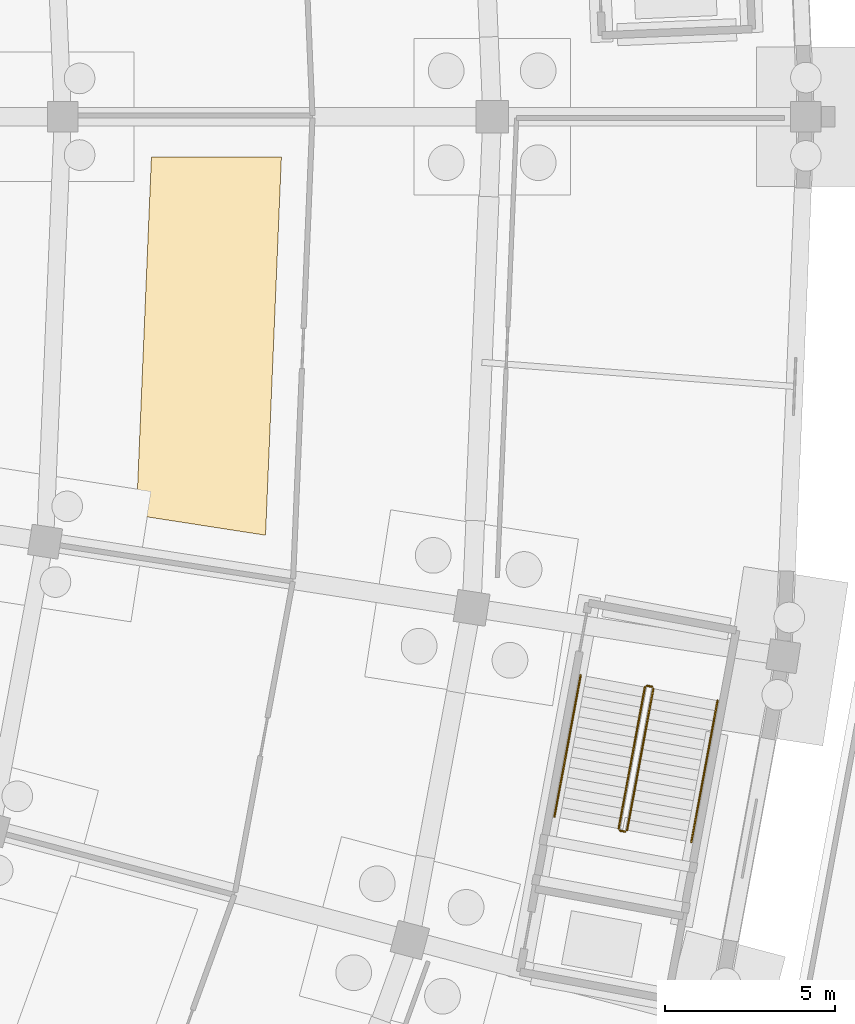
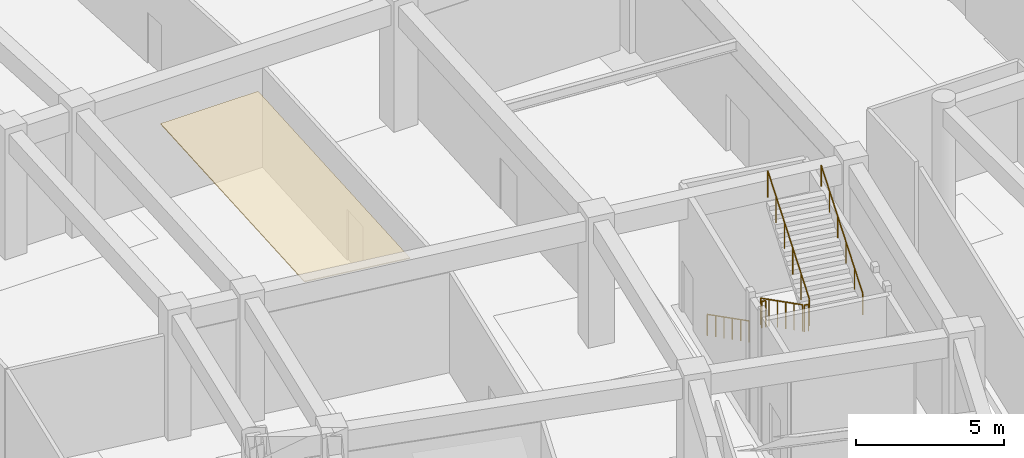
# One storey, part 78 of 88: 6 railings, 1 covering.
"""IFC4 building model written with IfcOpenShell, lengths in metres."""

import ifcopenshell
import ifcopenshell.guid

model = None  # the IFC model being written
_history = None  # IfcOwnerHistory: only IFC2X3 demands one
_inside = {}  # id of a spatial element -> (the spatial element, [elements in it])
_under = {}  # id of a project, library or spatial element -> (it, [spatial elements below it])
_declared = {}  # id of a project -> (the project, [libraries it declares])
_typed = {}  # id of a type object -> (the type object, [elements of that type])
_made_of = {}  # id of a material, layer set ... -> (it, [elements and type objects made of it])


def new_model(schema):
    """Start an empty IFC model of exactly this schema.

    Asked for "IFC4X3", IfcOpenShell would pick the latest addendum, in which some entities
    have other attributes; the version numbers below select the first issue.
    IFC2X3 requires an IfcOwnerHistory on every rooted entity: one is made here for all.
    """
    global model, _history
    if schema == "IFC4X3":
        model = ifcopenshell.file(schema_version=(4, 3, 0, 0))
    else:
        model = ifcopenshell.file(schema=schema)
    _inside.clear()
    _under.clear()
    _declared.clear()
    _typed.clear()
    _made_of.clear()
    _history = None
    if model.schema == "IFC2X3":
        org = make("IfcOrganization", Name="unknown")
        user = make(
            "IfcPersonAndOrganization",
            ThePerson=make("IfcPerson", FamilyName="unknown"),
            TheOrganization=org,
        )
        app = make(
            "IfcApplication",
            ApplicationDeveloper=org,
            Version="unknown",
            ApplicationFullName="unknown",
            ApplicationIdentifier="unknown",
        )
        _history = make(
            "IfcOwnerHistory",
            OwningUser=user,
            OwningApplication=app,
            ChangeAction="ADDED",
            CreationDate=0,
        )
    return model


def make(cls, **values):
    """One entity of the class cls with the attributes given. An attribute that is None is left unset."""
    return model.create_entity(
        cls, **{name: value for name, value in values.items() if value is not None}
    )


def rooted(cls, **values):
    """An entity with a GlobalId (a new one), such as an element, a storey or a relation."""
    return make(cls, GlobalId=ifcopenshell.guid.new(), OwnerHistory=_history, **values)


def si_unit(unit_type, name, prefix=None):
    """IfcSIUnit, for example si_unit("LENGTHUNIT", "METRE", prefix="MILLI")."""
    return make("IfcSIUnit", UnitType=unit_type, Prefix=prefix, Name=name)


def assignment(units):
    """IfcUnitAssignment: the units of a project."""
    return None if units is None else make("IfcUnitAssignment", Units=units)


def point(xyz):
    """IfcCartesianPoint."""
    return None if xyz is None else make("IfcCartesianPoint", Coordinates=xyz)


def direction(xyz):
    """IfcDirection."""
    return None if xyz is None else make("IfcDirection", DirectionRatios=xyz)


def frame(location, z_axis=None, x_axis=None):
    """IfcAxis2Placement3D, a coordinate frame: its origin and axes. An axis left out is left unset."""
    return make(
        "IfcAxis2Placement3D",
        Location=point(location),
        Axis=direction(z_axis),
        RefDirection=direction(x_axis),
    )


def frame_2d(location, x_axis=None):
    """IfcAxis2Placement2D, a coordinate frame in the plane: its origin and x axis."""
    return make(
        "IfcAxis2Placement2D", Location=point(location), RefDirection=direction(x_axis)
    )


def origin():
    """The frame at (0, 0, 0) with its axes left unset."""
    return frame((0.0, 0.0, 0.0))


def origin_2d():
    """The frame at (0, 0) in the plane with its x axis left unset."""
    return frame_2d((0.0, 0.0))


def place(relative_to, where):
    """IfcLocalPlacement: puts the frame where relative to a parent placement (None: the world)."""
    return make(
        "IfcLocalPlacement", PlacementRelTo=relative_to, RelativePlacement=where
    )


def context(
    kind, dimensions, precision=None, world=None, true_north=None, identifier=None
):
    """IfcGeometricRepresentationContext, for example the 3D "Model" context."""
    return make(
        "IfcGeometricRepresentationContext",
        ContextIdentifier=identifier,
        ContextType=kind,
        CoordinateSpaceDimension=dimensions,
        Precision=precision,
        WorldCoordinateSystem=world,
        TrueNorth=true_north,
    )


def subcontext(parent, identifier, kind, view, scale=None):
    """IfcGeometricRepresentationSubContext, for example "Body" below "Model"."""
    return make(
        "IfcGeometricRepresentationSubContext",
        ContextIdentifier=identifier,
        ContextType=kind,
        ParentContext=parent,
        TargetScale=scale,
        TargetView=view,
    )


def project(units=None, contexts=None):
    """IfcProject with its units and contexts."""
    return rooted(
        "IfcProject",
        Name="project",
        RepresentationContexts=contexts,
        UnitsInContext=assignment(units),
    )


def spatial(cls, under=None, at=None, **own):
    """A site, building, storey or space (cls), placed at a placement, below another one or the project."""
    s = rooted(cls, ObjectPlacement=at, **own)
    if under is not None:
        _under.setdefault(under.id(), (under, []))[1].append(s)
    return s


def polyline(points):
    """IfcPolyline through the points."""
    return make("IfcPolyline", Points=[point(p) for p in points])


def profile(cls, at=None, kind="AREA", **sizes):
    """A parametric profile (cls). Its sizes go by their IFC names, for example OverallWidth=200.0."""
    return make(cls, ProfileType=kind, Position=at, **sizes)


def circle(**sizes):
    """IfcCircleProfileDef."""
    return profile("IfcCircleProfileDef", **sizes)


def outline(outer, holes=None, kind="AREA"):
    """IfcArbitraryClosedProfileDef: a profile drawn as a closed curve; with holes, ...WithVoids."""
    if holes is None:
        return make("IfcArbitraryClosedProfileDef", ProfileType=kind, OuterCurve=outer)
    return make(
        "IfcArbitraryProfileDefWithVoids",
        ProfileType=kind,
        OuterCurve=outer,
        InnerCurves=holes,
    )


def extrude(swept, where, along, depth):
    """IfcExtrudedAreaSolid: the profile swept, set in the frame where, extruded along a direction by depth."""
    return make(
        "IfcExtrudedAreaSolid",
        SweptArea=swept,
        Position=where,
        ExtrudedDirection=direction(along),
        Depth=depth,
    )


def shape(context_of_items, identifier, shape_type, items):
    """IfcShapeRepresentation: the items that make up one representation, for example the "Body"."""
    return make(
        "IfcShapeRepresentation",
        ContextOfItems=context_of_items,
        RepresentationIdentifier=identifier,
        RepresentationType=shape_type,
        Items=items,
    )


def material(Name=None, Category=None):
    """IfcMaterial."""
    return make("IfcMaterial", Name=Name, Category=Category)


def layer(
    of_material, thickness, ventilated=None, Name=None, Category=None, Priority=None
):
    """IfcMaterialLayer: one layer of a wall or slab, of a material (None: an air gap)."""
    return make(
        "IfcMaterialLayer",
        Material=of_material,
        LayerThickness=thickness,
        IsVentilated=ventilated,
        Name=Name,
        Category=Category,
        Priority=Priority,
    )


def layer_set(layers, Name=None):
    """IfcMaterialLayerSet."""
    return make("IfcMaterialLayerSet", MaterialLayers=layers, LayerSetName=Name)


def made_of(thing, what):
    """Note that an element or type object is made of a material, layer set ...; save() writes the relation."""
    if what is not None:
        _made_of.setdefault(what.id(), (what, []))[1].append(thing)
    return thing


def type_object(cls, material=None, **own):
    """A type object (cls), such as IfcWallType, which elements share."""
    return made_of(rooted(cls, **own), material)


def element(
    cls,
    number,
    at=None,
    inside=None,
    cuts=None,
    type_object=None,
    material=None,
    context=None,
    identifier="Body",
    shape_type=None,
    held_by="IfcProductDefinitionShape",
    body=None,
    shapes=None,
    **own,
):
    """One element of the class cls, such as IfcWall. Its Tag is "e" and its number.

    at: its placement. inside: the storey or other place that contains it. cuts: it is an
    opening in that element (IfcRelVoidsElement). A single representation is given by context,
    identifier, shape_type and body (its items); several are given by shapes. held_by: the class
    of the entity that holds the representations. save() writes the other relations.
    """
    e = rooted(cls, Tag="e%d" % number, ObjectPlacement=at, **own)
    if body is not None:
        shapes = [shape(context, identifier, shape_type, body)]
    if shapes is not None:
        e.Representation = make(held_by, Representations=shapes)
    if inside is not None:
        _inside.setdefault(inside.id(), (inside, []))[1].append(e)
    if cuts is not None:
        rooted(
            "IfcRelVoidsElement", RelatingBuildingElement=cuts, RelatedOpeningElement=e
        )
    if type_object is not None:
        _typed.setdefault(type_object.id(), (type_object, []))[1].append(e)
    return made_of(e, material)


def aggregate(whole, parts):
    """IfcRelAggregates: a whole, such as a stair, and the parts it consists of."""
    return rooted("IfcRelAggregates", RelatingObject=whole, RelatedObjects=parts)


def save(model, path):
    """Write the relations noted so far, then the file.

    IfcRelAggregates (storeys below a building ...), IfcRelContainedInSpatialStructure (elements
    in a storey), IfcRelDefinesByType, IfcRelAssociatesMaterial and IfcRelDeclares: one each for
    every whole, place, type object, material and project.
    """
    for whole, parts in _under.values():
        aggregate(whole, parts)
    for where, things in _inside.values():
        rooted(
            "IfcRelContainedInSpatialStructure",
            RelatedElements=things,
            RelatingStructure=where,
        )
    for kind, things in _typed.values():
        rooted("IfcRelDefinesByType", RelatedObjects=things, RelatingType=kind)
    for what, things in _made_of.values():
        rooted("IfcRelAssociatesMaterial", RelatedObjects=things, RelatingMaterial=what)
    for by, libraries in _declared.values():
        rooted("IfcRelDeclares", RelatingContext=by, RelatedDefinitions=libraries)
    model.write(path)


model = new_model("IFC4")

# Units and contexts
model_context = context("Model", 3, precision=1e-05, world=origin(), true_north=direction((0.0, 1.0)))
body_context = subcontext(model_context, "Body", "Model", "MODEL_VIEW")
ifc_project = project(units=[si_unit("LENGTHUNIT", "METRE"), si_unit("AREAUNIT", "SQUARE_METRE"), si_unit("VOLUMEUNIT", "CUBIC_METRE"), si_unit("PLANEANGLEUNIT", "RADIAN"), si_unit("MASSUNIT", "GRAM", prefix="KILO")], contexts=[model_context])

# Site, building, storey
site_placement = place(None, origin())
site = spatial("IfcSite", under=ifc_project, at=site_placement, CompositionType="ELEMENT")
building_placement = place(site_placement, origin())
building = spatial("IfcBuilding", under=site, at=building_placement, Name="Mphavela Belvedere Stadium", CompositionType="ELEMENT")
storey_placement = place(building_placement, origin())
storey = spatial("IfcBuildingStorey", under=building, at=storey_placement, Name="L00", CompositionType="ELEMENT", Elevation=0.0)

# Covering
ifc_material_1 = material(Name="Perforated acoustic mineral ceiling tile")
ifc_layer = layer(ifc_material_1, 0.0400390625)
ifc_layer_set = layer_set([ifc_layer], Name="Perforated acoustic mineral ceiling tile")
covering_type = type_object("IfcCoveringType", Name="COV-CEILING-ACOUSTIC", PredefinedType="CEILING", material=ifc_layer_set)
covering_placement = place(storey_placement, frame((0.0, 0.0, 4.10009765625)))
element("IfcCovering", 1, at=covering_placement, inside=storey, type_object=covering_type, Name="Concourse acoustic ceiling L00-48", PredefinedType="CEILING", context=body_context, shape_type="SweptSolid", body=[
    extrude(outline(polyline([(198.154296875, 75.29638671875), (198.59521484375, 85.8134765625), (202.4130859375, 85.8134765625), (201.947509765625, 74.708251953125), (198.154296875, 75.29638671875)])), origin(), (0.0, 0.0, 1.0), 0.039794921875),
])

# Railings
ifc_material_2 = material(Name="Painted galvanised steel stair guardrail", Category="steel")
railing_type_1 = type_object("IfcRailingType", Name="RAL-GUARD-1120", PredefinedType="GUARDRAIL", material=ifc_material_2)
railing_1_placement = place(storey_placement, frame((213.092041015625, 70.24609375, 0.179931640625)))
element("IfcRailing", 2, at=railing_1_placement, inside=storey, type_object=railing_type_1, Name="L00 ST-C12 stair guard 1", PredefinedType="GUARDRAIL", context=body_context, shape_type="SweptSolid", body=[
    extrude(circle(Radius=0.02392578125, at=origin_2d()), frame((0.0, 0.0, 1.09619140625), z_axis=(-0.156845044367, -0.84454260765, 0.512003335849), x_axis=(0.983188439882, -0.182593788729, 0.0)), (0.0, 0.0, 1.0), 4.921875),
    extrude(circle(Radius=0.02099609375, at=origin_2d()), origin(), (0.0, 0.0, 1.0), 1.072021484375),
    extrude(circle(Radius=0.02099609375, at=origin_2d()), frame((-0.154296875, -0.831298828125, 0.50390625)), (0.0, 0.0, 1.0), 1.072021484375),
    extrude(circle(Radius=0.02099609375, at=origin_2d()), frame((-0.308837890625, -1.66259765625, 1.008056640625)), (0.0, 0.0, 1.0), 1.072021484375),
    extrude(circle(Radius=0.02099609375, at=origin_2d()), frame((-0.463134765625, -2.494140625, 1.511962890625)), (0.0, 0.0, 1.0), 1.072021484375),
    extrude(circle(Radius=0.02099609375, at=origin_2d()), frame((-0.61767578125, -3.325439453125, 2.01611328125)), (0.0, 0.0, 1.0), 1.072021484375),
    extrude(circle(Radius=0.02099609375, at=origin_2d()), frame((-0.77197265625, -4.15673828125, 2.52001953125)), (0.0, 0.0, 1.0), 1.072021484375),
])
railing_2_placement = place(storey_placement, frame((212.360107421875, 66.031005859375, 2.699951171875)))
element("IfcRailing", 3, at=railing_2_placement, inside=storey, type_object=railing_type_1, Name="L00 ST-C12 stair guard 2", PredefinedType="GUARDRAIL", context=body_context, shape_type="SweptSolid", body=[
    extrude(circle(Radius=0.02392578125, at=origin_2d()), frame((0.0, 0.0, 1.09619140625), z_axis=(0.983238797529, -0.182322426032, 0.0), x_axis=(0.182322426032, 0.983238797529, 0.0)), (0.0, 0.0, 1.0), 0.14990234375),
    extrude(circle(Radius=0.02099609375, at=origin_2d()), origin(), (0.0, 0.0, 1.0), 1.072021484375),
    extrude(circle(Radius=0.02099609375, at=origin_2d()), frame((0.1474609375, -0.02734375, 0.0)), (0.0, 0.0, 1.0), 1.072021484375),
])
railing_3_placement = place(storey_placement, frame((212.56591796875, 66.043701171875, 2.8798828125)))
element("IfcRailing", 4, at=railing_3_placement, inside=storey, type_object=railing_type_1, Name="L00 ST-C12 stair guard 3", PredefinedType="GUARDRAIL", context=body_context, shape_type="SweptSolid", body=[
    extrude(circle(Radius=0.02392578125, at=origin_2d()), frame((0.0, 0.0, 1.09619140625), z_axis=(0.156845044367, 0.84454260765, 0.512003335849), x_axis=(-0.983188439882, 0.182593788729, 0.0)), (0.0, 0.0, 1.0), 4.921875),
    extrude(circle(Radius=0.02099609375, at=origin_2d()), origin(), (0.0, 0.0, 1.0), 1.072021484375),
    extrude(circle(Radius=0.02099609375, at=origin_2d()), frame((0.154296875, 0.831298828125, 0.50390625)), (0.0, 0.0, 1.0), 1.072021484375),
    extrude(circle(Radius=0.02099609375, at=origin_2d()), frame((0.308837890625, 1.66259765625, 1.008056640625)), (0.0, 0.0, 1.0), 1.072021484375),
    extrude(circle(Radius=0.02099609375, at=origin_2d()), frame((0.463134765625, 2.494140625, 1.511962890625)), (0.0, 0.0, 1.0), 1.072021484375),
    extrude(circle(Radius=0.02099609375, at=origin_2d()), frame((0.61767578125, 3.325439453125, 2.01611328125)), (0.0, 0.0, 1.0), 1.072021484375),
    extrude(circle(Radius=0.02099609375, at=origin_2d()), frame((0.77197265625, 4.15673828125, 2.52001953125)), (0.0, 0.0, 1.0), 1.072021484375),
])
railing_4_placement = place(storey_placement, frame((213.150390625, 70.2861328125, 0.0)))
element("IfcRailing", 5, at=railing_4_placement, inside=storey, type_object=railing_type_1, Name="L00 ST-C12 stair guard 4", PredefinedType="GUARDRAIL", context=body_context, shape_type="SweptSolid", body=[
    extrude(circle(Radius=0.02392578125, at=origin_2d()), frame((0.0, 0.0, 1.09619140625), z_axis=(0.983238797529, -0.182322426032, 0.0), x_axis=(0.182322426032, 0.983238797529, 0.0)), (0.0, 0.0, 1.0), 0.14990234375),
    extrude(circle(Radius=0.02099609375, at=origin_2d()), origin(), (0.0, 0.0, 1.0), 1.072021484375),
    extrude(circle(Radius=0.02099609375, at=origin_2d()), frame((0.1474609375, -0.02734375, 0.0)), (0.0, 0.0, 1.0), 1.072021484375),
])
ifc_material_3 = material(Name="Brushed stainless steel tubular handrail", Category="steel")
railing_type_2 = type_object("IfcRailingType", Name="RAL-HANDRAIL-900", PredefinedType="HANDRAIL", material=ifc_material_3)
railing_5_placement = place(storey_placement, frame((211.204345703125, 70.5966796875, 0.179931640625)))
element("IfcRailing", 6, at=railing_5_placement, inside=storey, type_object=railing_type_2, Name="L00 ST-C12 stair handrail 1", PredefinedType="HANDRAIL", context=body_context, shape_type="SweptSolid", body=[
    extrude(circle(Radius=0.02392578125, at=origin_2d()), frame((0.0, 0.0, 0.8759765625), z_axis=(-0.156838474043, -0.844556830339, 0.511981887753), x_axis=(0.983190365008, -0.182583422456, 0.0)), (0.0, 0.0, 1.0), 4.922119140625),
    extrude(circle(Radius=0.02099609375, at=origin_2d()), origin(), (0.0, 0.0, 1.0), 0.851806640625),
    extrude(circle(Radius=0.02099609375, at=origin_2d()), frame((-0.154296875, -0.831298828125, 0.50390625)), (0.0, 0.0, 1.0), 0.851806640625),
    extrude(circle(Radius=0.02099609375, at=origin_2d()), frame((-0.308837890625, -1.662841796875, 1.008056640625)), (0.0, 0.0, 1.0), 0.851806640625),
    extrude(circle(Radius=0.02099609375, at=origin_2d()), frame((-0.463134765625, -2.494140625, 1.511962890625)), (0.0, 0.0, 1.0), 0.851806640625),
    extrude(circle(Radius=0.02099609375, at=origin_2d()), frame((-0.61767578125, -3.32568359375, 2.01611328125)), (0.0, 0.0, 1.0), 0.851806640625),
    extrude(circle(Radius=0.02099609375, at=origin_2d()), frame((-0.77197265625, -4.156982421875, 2.52001953125)), (0.0, 0.0, 1.0), 0.851806640625),
])
railing_6_placement = place(storey_placement, frame((214.45361328125, 65.693115234375, 2.8798828125)))
element("IfcRailing", 7, at=railing_6_placement, inside=storey, type_object=railing_type_2, Name="L00 ST-C12 stair handrail 2", PredefinedType="HANDRAIL", context=body_context, shape_type="SweptSolid", body=[
    extrude(circle(Radius=0.02392578125, at=origin_2d()), frame((0.0, 0.0, 0.8759765625), z_axis=(0.156838474043, 0.844556830339, 0.511981887753), x_axis=(-0.983190365008, 0.182583422456, 0.0)), (0.0, 0.0, 1.0), 4.922119140625),
    extrude(circle(Radius=0.02099609375, at=origin_2d()), origin(), (0.0, 0.0, 1.0), 0.851806640625),
    extrude(circle(Radius=0.02099609375, at=origin_2d()), frame((0.154296875, 0.831298828125, 0.50390625)), (0.0, 0.0, 1.0), 0.851806640625),
    extrude(circle(Radius=0.02099609375, at=origin_2d()), frame((0.308837890625, 1.662841796875, 1.008056640625)), (0.0, 0.0, 1.0), 0.851806640625),
    extrude(circle(Radius=0.02099609375, at=origin_2d()), frame((0.463134765625, 2.494140625, 1.511962890625)), (0.0, 0.0, 1.0), 0.851806640625),
    extrude(circle(Radius=0.02099609375, at=origin_2d()), frame((0.61767578125, 3.32568359375, 2.01611328125)), (0.0, 0.0, 1.0), 0.851806640625),
    extrude(circle(Radius=0.02099609375, at=origin_2d()), frame((0.77197265625, 4.156982421875, 2.52001953125)), (0.0, 0.0, 1.0), 0.851806640625),
])

save(model, "model.ifc")
